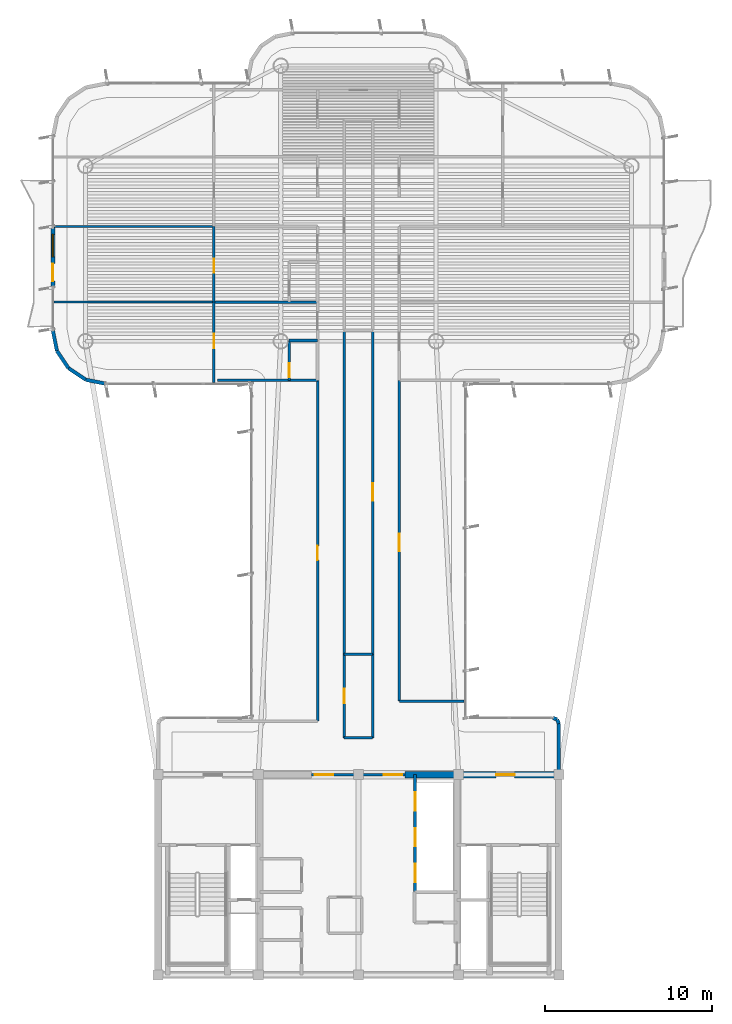
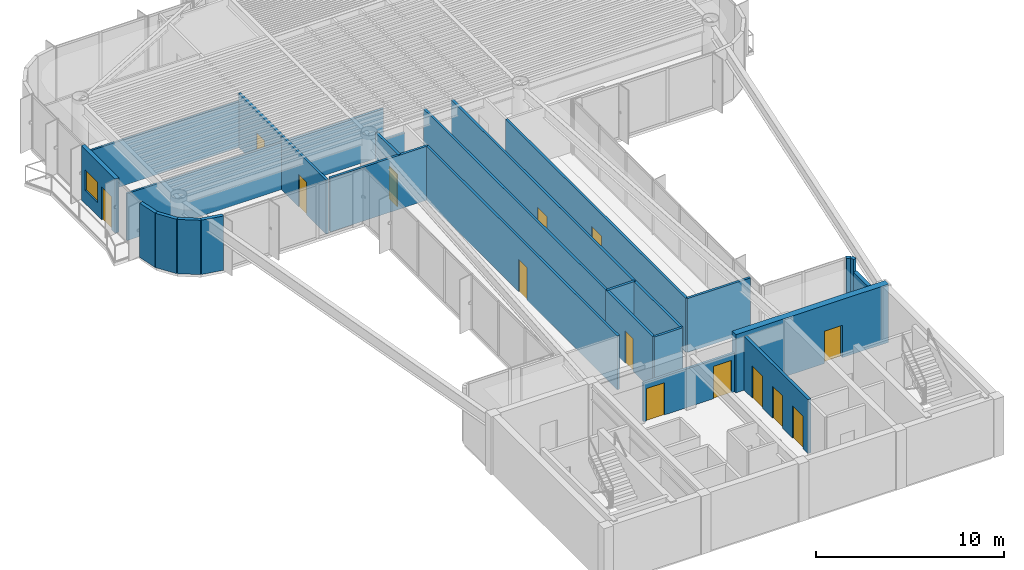
# One storey, part 11 of 15: 28 walls, 14 doors, 1 window, 15 openings.
"""IFC4 building model written with IfcOpenShell, lengths in metres."""

from ifc_helpers import new_model, si_unit, direction, frame, frame_2d, origin, origin_2d, place, context, subcontext, project, spatial, rectangle, extrude, source, transform, mapped, material, layer, layer_set, type_object, element, fill, save


model = new_model("IFC4")

# Units and contexts
model_context = context("Model", 3, precision=1e-05, world=origin(), true_north=direction((0.0, 1.0)))
body_context = subcontext(model_context, "Body", "Model", "MODEL_VIEW")
ifc_project = project(units=[si_unit("LENGTHUNIT", "METRE"), si_unit("AREAUNIT", "SQUARE_METRE"), si_unit("VOLUMEUNIT", "CUBIC_METRE"), si_unit("PLANEANGLEUNIT", "RADIAN"), si_unit("MASSUNIT", "GRAM", prefix="KILO")], contexts=[model_context])

# Site, building, storey
site_placement = place(None, origin())
site = spatial("IfcSite", under=ifc_project, at=site_placement, CompositionType="ELEMENT")
building_placement = place(site_placement, origin())
building = spatial("IfcBuilding", under=site, at=building_placement, Name="Brelvock Crest Care Tower", CompositionType="ELEMENT")
storey_placement = place(building_placement, frame((0.0, 0.0, 264.60009765625)))
storey = spatial("IfcBuildingStorey", under=building, at=storey_placement, Name="L67", CompositionType="ELEMENT", Elevation=264.60009765625)

# Wall, opening, door
ifc_material_1 = material(Name="Concrete S65 (65 MPa)", Category="concrete")
ifc_layer_1 = layer(ifc_material_1, 0.39990234375, Name="WL-CS4")
ifc_layer_set_1 = layer_set([ifc_layer_1], Name="Concrete S65 (65 MPa)")
wall_type_1 = type_object("IfcWallType", Name="WL-CS4", PredefinedType="SHEAR", material=ifc_layer_set_1)
wall_1_placement = place(storey_placement, frame((38.800048828125, 18.0, 0.0), z_axis=(0.0, 0.0, 1.0), x_axis=(1.0, 0.0, 0.0)))
wall_1 = element("IfcWall", 1, at=wall_1_placement, inside=storey, type_object=wall_type_1, Name="L67 Core North-East Shear Wall", PredefinedType="SHEAR", context=body_context, shape_type="SweptSolid", body=[
    extrude(rectangle(XDim=9.39990234375, YDim=0.39990234375, at=frame_2d((4.699951171875, 0.0))), origin(), (0.0, 0.0, 1.0), 3.77978515625),
])
opening_1_placement = place(wall_1_placement, frame((5.449951171875, 0.0, 0.0)))
opening_1 = element("IfcOpeningElement", 2, at=opening_1_placement, cuts=wall_1, Name="Opening FD-1", PredefinedType="OPENING", context=body_context, shape_type="SweptSolid", body=[
    extrude(rectangle(XDim=1.10009765625, YDim=2.10009765625, at=origin_2d()), frame((0.550048828125, 0.2099609375, 1.050048828125), z_axis=(0.0, -1.0, 0.0), x_axis=(1.0, 0.0, 0.0)), (0.0, 0.0, 1.0), 0.419921875),
])
ifc_material_2 = material(Name="Steel Grade 350", Category="steel")
door_type_1 = type_object("IfcDoorType", Name="DR-FFL1", OperationType="NOTDEFINED", PredefinedType="DOOR", material=ifc_material_2)
shared_shape_1 = source(origin(), body_context, "Body", "SweptSolid", [
    extrude(rectangle(XDim=1.10009765625, YDim=2.10009765625, at=origin_2d()), frame((0.550048828125, 0.02490234375, 1.050048828125), z_axis=(0.0, -1.0, 0.0), x_axis=(1.0, 0.0, 0.0)), (0.0, 0.0, 1.0), 0.050048828125),
])
door_1_placement = place(opening_1_placement, origin())
door_1 = element("IfcDoor", 3, at=door_1_placement, inside=storey, type_object=door_type_1, Name="L67 Firefighting Lobby FFL-2 Exit Door", OperationType="SINGLE_SWING_RIGHT", OverallHeight=2.10009765625, OverallWidth=1.10009765625, PredefinedType="DOOR", context=body_context, shape_type="MappedRepresentation", body=[
    mapped(shared_shape_1, transform((0.0, 0.0, 0.0), x_axis=(1.0, 0.0, 0.0), y_axis=(0.0, 1.0, 0.0), z_axis=(0.0, 0.0, 1.0), scale=1.0)),
])
fill(opening_1, door_1)

# Wall, openings, door, window
ifc_material_3 = material(Name="Precast concrete N40 (40 MPa)", Category="concrete")
ifc_layer_2 = layer(ifc_material_3, 0.239990234375, Name="WL-EX1")
ifc_layer_set_2 = layer_set([ifc_layer_2], Name="Precast concrete N40 (40 MPa)")
wall_type_2 = type_object("IfcWallType", Name="WL-EX1", PredefinedType="SOLIDWALL", material=ifc_layer_set_2)
wall_2_placement = place(storey_placement, frame((17.699951171875, 47.14990234375, 0.0), z_axis=(0.0, 0.0, 1.0), x_axis=(0.0, 1.0, 0.0)))
wall_2 = element("IfcWall", 4, at=wall_2_placement, inside=storey, type_object=wall_type_2, Name="L67 Exterior Spandrel Wall WL-BAL-L67-W", PredefinedType="SOLIDWALL", context=body_context, shape_type="SweptSolid", body=[
    extrude(rectangle(XDim=3.60009765625, YDim=0.239990234375, at=frame_2d((1.800048828125, 0.0))), origin(), (0.0, 0.0, 1.0), 3.52978515625),
])
opening_2_placement = place(wall_2_placement, frame((0.39990234375, 0.0, 0.0)))
opening_2 = element("IfcOpeningElement", 5, at=opening_2_placement, cuts=wall_2, Name="Opening BD-1", PredefinedType="OPENING", context=body_context, shape_type="SweptSolid", body=[
    extrude(rectangle(XDim=1.050048828125, YDim=2.14990234375, at=origin_2d()), frame((0.52490234375, 0.1298828125, 1.074951171875), z_axis=(0.0, -1.0, 0.0), x_axis=(1.0, 0.0, 0.0)), (0.0, 0.0, 1.0), 0.260009765625),
])
opening_3_placement = place(wall_2_placement, frame((1.85009765625, 0.0, 0.85009765625)))
opening_3 = element("IfcOpeningElement", 6, at=opening_3_placement, cuts=wall_2, Name="Opening W-01", PredefinedType="OPENING", context=body_context, shape_type="SweptSolid", body=[
    extrude(rectangle(XDim=1.35009765625, YDim=1.35009765625, at=origin_2d()), frame((0.675048828125, 0.1298828125, 0.675048828125), z_axis=(0.0, -1.0, 0.0), x_axis=(1.0, 0.0, 0.0)), (0.0, 0.0, 1.0), 0.260009765625),
])
ifc_material_4 = material(Name="Dark Glass Double Glazed Low-E", Category="glass")
door_type_2 = type_object("IfcDoorType", Name="DR-BAL1", OperationType="NOTDEFINED", PredefinedType="DOOR", material=ifc_material_4)
shared_shape_2 = source(origin(), body_context, "Body", "SweptSolid", [
    extrude(rectangle(XDim=1.050048828125, YDim=2.14990234375, at=origin_2d()), frame((0.52490234375, 0.02490234375, 1.074951171875), z_axis=(0.0, -1.0, 0.0), x_axis=(1.0, 0.0, 0.0)), (0.0, 0.0, 1.0), 0.050048828125),
])
door_2_placement = place(opening_2_placement, origin())
door_2 = element("IfcDoor", 7, at=door_2_placement, inside=storey, type_object=door_type_2, Name="L67 W Wave Balcony Glazed Door", OperationType="SINGLE_SWING_LEFT", OverallHeight=2.14990234375, OverallWidth=1.050048828125, PredefinedType="DOOR", context=body_context, shape_type="MappedRepresentation", body=[
    mapped(shared_shape_2, transform((0.0, 0.0, 0.0), x_axis=(1.0, 0.0, 0.0), y_axis=(0.0, 1.0, 0.0), z_axis=(0.0, 0.0, 1.0), scale=1.0)),
])
fill(opening_2, door_2)
window_type = type_object("IfcWindowType", Name="WN-EX1", PartitioningType="SINGLE_PANEL", PredefinedType="WINDOW", material=ifc_material_4)
shared_shape_3 = source(origin(), body_context, "Body", "SweptSolid", [
    extrude(rectangle(XDim=1.35009765625, YDim=1.35009765625, at=origin_2d()), frame((0.675048828125, 0.030029296875, 0.675048828125), z_axis=(0.0, -1.0, 0.0), x_axis=(1.0, 0.0, 0.0)), (0.0, 0.0, 1.0), 0.06005859375),
])
window_placement = place(opening_3_placement, origin())
window = element("IfcWindow", 8, at=window_placement, inside=storey, type_object=window_type, Name="L67 W Suite Casement Window", OverallHeight=1.35009765625, OverallWidth=1.35009765625, PartitioningType="SINGLE_PANEL", PredefinedType="WINDOW", context=body_context, shape_type="MappedRepresentation", body=[
    mapped(shared_shape_3, transform((0.0, 0.0, 0.0), x_axis=(1.0, 0.0, 0.0), y_axis=(0.0, 1.0, 0.0), z_axis=(0.0, 0.0, 1.0), scale=1.0)),
])
fill(opening_3, window)

# Walls
ifc_layer_3 = layer(ifc_material_3, 0.215087890625, Name="WL-EX2")
ifc_layer_set_3 = layer_set([ifc_layer_3], Name="Precast concrete N40 (40 MPa)")
wall_type_3 = type_object("IfcWallType", Name="WL-EX2", PredefinedType="SOLIDWALL", material=ifc_layer_set_3)
wall_3_placement = place(storey_placement, frame((47.8974609375, 21.297607421875, 0.0), z_axis=(0.0, 0.0, 1.0), x_axis=(0.382673670509, -0.923883575944, 0.0)))
element("IfcWall", 9, at=wall_3_placement, inside=storey, type_object=wall_type_3, Name="L67 Rounded Corner Wall 00", PredefinedType="SOLIDWALL", context=body_context, shape_type="SweptSolid", body=[
    extrude(rectangle(XDim=0.26806640625, YDim=0.215087890625, at=frame_2d((0.134033203125, 0.0))), origin(), (0.0, 0.0, 1.0), 3.52978515625),
])
wall_4_placement = place(storey_placement, frame((48.0, 21.050048828125, 0.0), z_axis=(0.0, 0.0, 1.0), x_axis=(0.0, -1.0, 0.0)))
element("IfcWall", 10, at=wall_4_placement, inside=storey, type_object=wall_type_3, Name="L67 Rounded Corner Wall 01", PredefinedType="SOLIDWALL", context=body_context, shape_type="SweptSolid", body=[
    extrude(rectangle(XDim=2.77001953125, YDim=0.215087890625, at=frame_2d((1.385009765625, 0.0))), origin(), (0.0, 0.0, 1.0), 2.718017578125),
])
for number, where, z_axis, x_axis, name in (
    (11, (20.89990234375, 41.39990234375, 0.0), (0.0, 0.0, 1.0), (-0.980775717779, 0.195138390419, 0.0), "L67 Rounded Corner Wall 13"),
    (12, (19.67529296875, 41.6435546875, 0.0), (0.0, 0.0, 1.0), (-0.831387912822, 0.555692485475, 0.0), "L67 Rounded Corner Wall 14"),
    (13, (18.63720703125, 42.33740234375, 0.0), (0.0, 0.0, 1.0), (-0.555557312883, 0.831478245117, 0.0), "L67 Rounded Corner Wall 15"),
    (14, (17.943603515625, 43.37548828125, 0.0), (0.0, 0.0, 1.0), (-0.195138390419, 0.980775717779, 0.0), "L67 Rounded Corner Wall 16"),
):
    element("IfcWall", number, at=place(storey_placement, frame(where, z_axis=z_axis, x_axis=x_axis)), inside=storey, type_object=wall_type_3, Name=name, PredefinedType="SOLIDWALL", context=body_context, shape_type="SweptSolid", body=[
        extrude(rectangle(XDim=1.24853515625, YDim=0.215087890625, at=frame_2d((0.624267578125, 0.0))), origin(), (0.0, 0.0, 1.0), 3.52978515625),
    ])
wall_5_placement = place(storey_placement, frame((47.64990234375, 21.39990234375, 0.0), z_axis=(0.0, 0.0, 1.0), x_axis=(0.924205486139, -0.381895560841, 0.0)))
element("IfcWall", 15, at=wall_5_placement, inside=storey, type_object=wall_type_3, Name="L67 Rounded Corner Wall 47", PredefinedType="SOLIDWALL", context=body_context, shape_type="SweptSolid", body=[
    extrude(rectangle(XDim=0.267822265625, YDim=0.215087890625, at=frame_2d((0.1337890625, 0.0))), origin(), (0.0, 0.0, 1.0), 3.52978515625),
])

# Wall, openings, doors
ifc_material_5 = material(Name="Masonry Blockwork Acoustic Partition", Category="masonry")
ifc_layer_4 = layer(ifc_material_5, 0.14990234375, Name="WL-INT1")
ifc_layer_set_4 = layer_set([ifc_layer_4], Name="Masonry Blockwork Acoustic Partition")
wall_type_4 = type_object("IfcWallType", Name="WL-INT1", PredefinedType="PARTITIONING", material=ifc_layer_set_4)
wall_6_placement = place(storey_placement, frame((33.199951171875, 18.0, 0.0), z_axis=(0.0, 0.0, 1.0), x_axis=(1.0, 0.0, 0.0)))
wall_6 = element("IfcWall", 16, at=wall_6_placement, inside=storey, type_object=wall_type_4, Name="L67 Interior Wall WL-CORE-NPORT-L67", PredefinedType="PARTITIONING", context=body_context, shape_type="SweptSolid", body=[
    extrude(rectangle(XDim=5.60009765625, YDim=0.14990234375, at=frame_2d((2.800048828125, 0.0))), origin(), (0.0, 0.0, 1.0), 2.514892578125),
])
opening_4_placement = place(wall_6_placement, frame((0.18994140625, 0.0, 0.0)))
opening_4 = element("IfcOpeningElement", 17, at=opening_4_placement, cuts=wall_6, Name="Opening FD-1", PredefinedType="OPENING", context=body_context, shape_type="SweptSolid", body=[
    extrude(rectangle(XDim=1.10009765625, YDim=2.10009765625, at=origin_2d()), frame((0.550048828125, 0.0849609375, 1.050048828125), z_axis=(0.0, -1.0, 0.0), x_axis=(1.0, 0.0, 0.0)), (0.0, 0.0, 1.0), 0.169921875),
])
opening_5_placement = place(wall_6_placement, frame((4.31005859375, 0.0, 0.0)))
opening_5 = element("IfcOpeningElement", 18, at=opening_5_placement, cuts=wall_6, Name="Opening FD-1", PredefinedType="OPENING", context=body_context, shape_type="SweptSolid", body=[
    extrude(rectangle(XDim=1.10009765625, YDim=2.10009765625, at=origin_2d()), frame((0.550048828125, 0.0849609375, 1.050048828125), z_axis=(0.0, -1.0, 0.0), x_axis=(1.0, 0.0, 0.0)), (0.0, 0.0, 1.0), 0.169921875),
])
door_3_placement = place(opening_4_placement, origin())
door_3 = element("IfcDoor", 19, at=door_3_placement, inside=storey, type_object=door_type_1, Name="L67 Lift Lobby North Smoke Door West", OperationType="SINGLE_SWING_LEFT", OverallHeight=2.10009765625, OverallWidth=1.10009765625, PredefinedType="DOOR", context=body_context, shape_type="MappedRepresentation", body=[
    mapped(shared_shape_1, transform((0.0, 0.0, 0.0), x_axis=(1.0, 0.0, 0.0), y_axis=(0.0, 1.0, 0.0), z_axis=(0.0, 0.0, 1.0), scale=1.0)),
])
fill(opening_4, door_3)
door_4_placement = place(opening_5_placement, origin())
door_4 = element("IfcDoor", 20, at=door_4_placement, inside=storey, type_object=door_type_1, Name="L67 Lift Lobby North Smoke Door East", OperationType="SINGLE_SWING_RIGHT", OverallHeight=2.10009765625, OverallWidth=1.10009765625, PredefinedType="DOOR", context=body_context, shape_type="MappedRepresentation", body=[
    mapped(shared_shape_1, transform((0.0, 0.0, 0.0), x_axis=(1.0, 0.0, 0.0), y_axis=(0.0, 1.0, 0.0), z_axis=(0.0, 0.0, 1.0), scale=1.0)),
])
fill(opening_5, door_4)

# Walls
wall_7_placement = place(storey_placement, frame((38.449951171875, 22.39990234375, 0.0), z_axis=(0.0, 0.0, 1.0), x_axis=(1.0, 0.0, 0.0)))
element("IfcWall", 21, at=wall_7_placement, inside=storey, type_object=wall_type_4, Name="L67 Interior Wall WL-BX-L67-THRE-S", PredefinedType="PARTITIONING", context=body_context, shape_type="SweptSolid", body=[
    extrude(rectangle(XDim=3.873291015625, YDim=0.14990234375, at=frame_2d((1.9365234375, 0.0))), origin(), (0.0, 0.0, 1.0), 3.5),
])
wall_8_placement = place(storey_placement, frame((27.557861328125, 41.60009765625, 0.0), z_axis=(0.0, 0.0, 1.0), x_axis=(1.0, 0.0, 0.0)))
element("IfcWall", 22, at=wall_8_placement, inside=storey, type_object=wall_type_4, Name="L67 Interior Wall WL-BX-L67-CS-WS1-S", PredefinedType="PARTITIONING", context=body_context, shape_type="SweptSolid", body=[
    extrude(rectangle(XDim=5.9921875, YDim=0.14990234375, at=frame_2d((2.99609375, 0.0))), origin(), (0.0, 0.0, 1.0), 3.5),
])
wall_9_placement = place(storey_placement, frame((27.35009765625, 46.298095703125, 0.0), z_axis=(0.0, 0.0, 1.0), x_axis=(1.0, 0.0, 0.0)))
element("IfcWall", 23, at=wall_9_placement, inside=storey, type_object=wall_type_4, Name="L67 Interior Wall WL-BX-L67-CS-WS1-N", PredefinedType="PARTITIONING", context=body_context, shape_type="SweptSolid", body=[
    extrude(rectangle(XDim=6.199951171875, YDim=0.14990234375, at=frame_2d((3.10009765625, 0.0))), origin(), (0.0, 0.0, 1.0), 3.054931640625),
])

# Wall, opening, door
wall_10_placement = place(storey_placement, frame((27.35009765625, 41.47998046875, 0.0), z_axis=(0.0, 0.0, 1.0), x_axis=(0.0, 1.0, 0.0)))
wall_10 = element("IfcWall", 24, at=wall_10_placement, inside=storey, type_object=wall_type_4, Name="L67 Interior Wall WL-RM-L67-WS1S", PredefinedType="PARTITIONING", context=body_context, shape_type="SweptSolid", body=[
    extrude(rectangle(XDim=4.818115234375, YDim=0.14990234375, at=frame_2d((2.4091796875, 0.0))), origin(), (0.0, 0.0, 1.0), 3.5),
])
opening_6_placement = place(wall_10_placement, frame((2.06005859375, 0.0, 0.0)))
opening_6 = element("IfcOpeningElement", 25, at=opening_6_placement, cuts=wall_10, Name="Opening ID-1", PredefinedType="OPENING", context=body_context, shape_type="SweptSolid", body=[
    extrude(rectangle(XDim=0.860107421875, YDim=2.10009765625, at=origin_2d()), frame((0.43017578125, 0.0849609375, 1.050048828125), z_axis=(0.0, -1.0, 0.0), x_axis=(1.0, 0.0, 0.0)), (0.0, 0.0, 1.0), 0.169921875),
])
ifc_material_6 = material(Name="Engineered Hardwood Timber", Category="wood")
door_type_3 = type_object("IfcDoorType", Name="DR-INT1", OperationType="NOTDEFINED", PredefinedType="DOOR", material=ifc_material_6)
shared_shape_4 = source(origin(), body_context, "Body", "SweptSolid", [
    extrude(rectangle(XDim=0.860107421875, YDim=2.10009765625, at=origin_2d()), frame((0.43017578125, 0.02490234375, 1.050048828125), z_axis=(0.0, -1.0, 0.0), x_axis=(1.0, 0.0, 0.0)), (0.0, 0.0, 1.0), 0.050048828125),
])
door_5_placement = place(opening_6_placement, origin())
door_5 = element("IfcDoor", 26, at=door_5_placement, inside=storey, type_object=door_type_3, Name="L67 Skilled Nursing Mobility Store Door WS1S", OperationType="SINGLE_SWING_LEFT", OverallHeight=2.10009765625, OverallWidth=0.860107421875, PredefinedType="DOOR", context=body_context, shape_type="MappedRepresentation", body=[
    mapped(shared_shape_4, transform((0.0, 0.0, 0.0), x_axis=(1.0, 0.0, 0.0), y_axis=(0.0, 1.0, 0.0), z_axis=(0.0, 0.0, 1.0), scale=1.0)),
])
fill(opening_6, door_5)

wall_11_placement = place(storey_placement, frame((27.35009765625, 46.298095703125, 0.0), z_axis=(0.0, 0.0, 1.0), x_axis=(0.0, 1.0, 0.0)))
wall_11 = element("IfcWall", 27, at=wall_11_placement, inside=storey, type_object=wall_type_4, Name="L67 Interior Wall WL-RM-L67-WS2S", PredefinedType="PARTITIONING", context=body_context, shape_type="SweptSolid", body=[
    extrude(rectangle(XDim=4.52392578125, YDim=0.14990234375, at=frame_2d((2.261962890625, 0.0))), origin(), (0.0, 0.0, 1.0), 3.5),
])
opening_7_placement = place(wall_11_placement, frame((1.741943359375, 0.0, 0.0)))
opening_7 = element("IfcOpeningElement", 28, at=opening_7_placement, cuts=wall_11, Name="Opening ID-1", PredefinedType="OPENING", context=body_context, shape_type="SweptSolid", body=[
    extrude(rectangle(XDim=0.860107421875, YDim=2.10009765625, at=origin_2d()), frame((0.43017578125, 0.0849609375, 1.050048828125), z_axis=(0.0, -1.0, 0.0), x_axis=(1.0, 0.0, 0.0)), (0.0, 0.0, 1.0), 0.169921875),
])
door_6_placement = place(opening_7_placement, origin())
door_6 = element("IfcDoor", 29, at=door_6_placement, inside=storey, type_object=door_type_3, Name="L67 Skilled Nursing Mobility Store Door WS2S", OperationType="SINGLE_SWING_LEFT", OverallHeight=2.10009765625, OverallWidth=0.860107421875, PredefinedType="DOOR", context=body_context, shape_type="MappedRepresentation", body=[
    mapped(shared_shape_4, transform((0.0, 0.0, 0.0), x_axis=(1.0, 0.0, 0.0), y_axis=(0.0, 1.0, 0.0), z_axis=(0.0, 0.0, 1.0), scale=1.0)),
])
fill(opening_7, door_6)

wall_12_placement = place(storey_placement, frame((33.550048828125, 21.199951171875, 0.0), z_axis=(0.0, 0.0, 1.0), x_axis=(0.0, 1.0, 0.0)))
wall_12 = element("IfcWall", 30, at=wall_12_placement, inside=storey, type_object=wall_type_4, Name="L67 Interior Wall WL-RM-L67-THRW", PredefinedType="PARTITIONING", context=body_context, shape_type="SweptSolid", body=[
    extrude(rectangle(XDim=20.400146484375, YDim=0.14990234375, at=frame_2d((10.2001953125, 0.0))), origin(), (0.0, 0.0, 1.0), 3.5),
])
opening_8_placement = place(wall_12_placement, frame((9.639892578125, 0.0, 0.0)))
opening_8 = element("IfcOpeningElement", 31, at=opening_8_placement, cuts=wall_12, Name="Opening ID-1", PredefinedType="OPENING", context=body_context, shape_type="SweptSolid", body=[
    extrude(rectangle(XDim=0.860107421875, YDim=2.10009765625, at=origin_2d()), frame((0.43017578125, 0.0849609375, 1.050048828125), z_axis=(0.0, -1.0, 0.0), x_axis=(1.0, 0.0, 0.0)), (0.0, 0.0, 1.0), 0.169921875),
])
door_7_placement = place(opening_8_placement, origin())
door_7 = element("IfcDoor", 32, at=door_7_placement, inside=storey, type_object=door_type_3, Name="L67 Quiet Family Consultation Room Door THRW", OperationType="SINGLE_SWING_LEFT", OverallHeight=2.10009765625, OverallWidth=0.860107421875, PredefinedType="DOOR", context=body_context, shape_type="MappedRepresentation", body=[
    mapped(shared_shape_4, transform((0.0, 0.0, 0.0), x_axis=(1.0, 0.0, 0.0), y_axis=(0.0, 1.0, 0.0), z_axis=(0.0, 0.0, 1.0), scale=1.0)),
])
fill(opening_8, door_7)

# Wall
wall_13_placement = place(storey_placement, frame((35.14990234375, 25.199951171875, 0.0), z_axis=(0.0, 0.0, 1.0), x_axis=(0.0, 1.0, 0.0)))
element("IfcWall", 33, at=wall_13_placement, inside=storey, type_object=wall_type_4, Name="L67 Interior Wall WL-BX-L67-ISNS-W", PredefinedType="PARTITIONING", context=body_context, shape_type="SweptSolid", body=[
    extrude(rectangle(XDim=19.420166015625, YDim=0.14990234375, at=frame_2d((9.7099609375, 0.0))), origin(), (0.0, 0.0, 1.0), 3.5),
])

# Wall, opening, door
wall_14_placement = place(storey_placement, frame((36.85009765625, 25.199951171875, 0.0), z_axis=(0.0, 0.0, 1.0), x_axis=(0.0, 1.0, 0.0)))
wall_14 = element("IfcWall", 34, at=wall_14_placement, inside=storey, type_object=wall_type_4, Name="L67 Interior Wall WL-RM-L67-ISNS", PredefinedType="PARTITIONING", context=body_context, shape_type="SweptSolid", body=[
    extrude(rectangle(XDim=19.420166015625, YDim=0.14990234375, at=frame_2d((9.7099609375, 0.0))), origin(), (0.0, 0.0, 1.0), 3.5),
])
opening_9_placement = place(wall_14_placement, frame((9.18505859375, 0.0, 0.0)))
opening_9 = element("IfcOpeningElement", 35, at=opening_9_placement, cuts=wall_14, Name="Opening CLD-1", PredefinedType="OPENING", context=body_context, shape_type="SweptSolid", body=[
    extrude(rectangle(XDim=1.050048828125, YDim=2.10009765625, at=origin_2d()), frame((0.52490234375, 0.0849609375, 1.050048828125), z_axis=(0.0, -1.0, 0.0), x_axis=(1.0, 0.0, 0.0)), (0.0, 0.0, 1.0), 0.169921875),
])
door_type_4 = type_object("IfcDoorType", Name="DR-CLN1", OperationType="NOTDEFINED", PredefinedType="DOOR", material=ifc_material_6)
shared_shape_5 = source(origin(), body_context, "Body", "SweptSolid", [
    extrude(rectangle(XDim=1.050048828125, YDim=2.10009765625, at=origin_2d()), frame((0.52490234375, 0.02490234375, 1.050048828125), z_axis=(0.0, -1.0, 0.0), x_axis=(1.0, 0.0, 0.0)), (0.0, 0.0, 1.0), 0.050048828125),
])
door_8_placement = place(opening_9_placement, origin())
door_8 = element("IfcDoor", 36, at=door_8_placement, inside=storey, type_object=door_type_4, Name="L67 Care Concierge and Triage Station Door ISNS", OperationType="SINGLE_SWING_LEFT", OverallHeight=2.10009765625, OverallWidth=1.050048828125, PredefinedType="DOOR", context=body_context, shape_type="MappedRepresentation", body=[
    mapped(shared_shape_5, transform((0.0, 0.0, 0.0), x_axis=(1.0, 0.0, 0.0), y_axis=(0.0, 1.0, 0.0), z_axis=(0.0, 0.0, 1.0), scale=1.0)),
])
fill(opening_9, door_8)

wall_15_placement = place(storey_placement, frame((38.449951171875, 22.39990234375, 0.0), z_axis=(0.0, 0.0, 1.0), x_axis=(0.0, 1.0, 0.0)))
wall_15 = element("IfcWall", 37, at=wall_15_placement, inside=storey, type_object=wall_type_4, Name="L67 Interior Wall WL-RM-L67-THRE", PredefinedType="PARTITIONING", context=body_context, shape_type="SweptSolid", body=[
    extrude(rectangle(XDim=19.2001953125, YDim=0.14990234375, at=frame_2d((9.60009765625, 0.0))), origin(), (0.0, 0.0, 1.0), 3.5),
])
opening_10_placement = place(wall_15_placement, frame((8.97509765625, 0.0, 0.0)))
opening_10 = element("IfcOpeningElement", 38, at=opening_10_placement, cuts=wall_15, Name="Opening CLD-1", PredefinedType="OPENING", context=body_context, shape_type="SweptSolid", body=[
    extrude(rectangle(XDim=1.050048828125, YDim=2.10009765625, at=origin_2d()), frame((0.52490234375, 0.0849609375, 1.050048828125), z_axis=(0.0, -1.0, 0.0), x_axis=(1.0, 0.0, 0.0)), (0.0, 0.0, 1.0), 0.169921875),
])
door_9_placement = place(opening_10_placement, origin())
door_9 = element("IfcDoor", 39, at=door_9_placement, inside=storey, type_object=door_type_4, Name="L67 Allied Health Therapy Room Door THRE", OperationType="SINGLE_SWING_LEFT", OverallHeight=2.10009765625, OverallWidth=1.050048828125, PredefinedType="DOOR", context=body_context, shape_type="MappedRepresentation", body=[
    mapped(shared_shape_5, transform((0.0, 0.0, 0.0), x_axis=(1.0, 0.0, 0.0), y_axis=(0.0, 1.0, 0.0), z_axis=(0.0, 0.0, 1.0), scale=1.0)),
])
fill(opening_10, door_9)

# Walls
ifc_material_7 = material(Name="Gypsum Plasterboard Partition", Category="gypsum")
ifc_layer_5 = layer(ifc_material_7, 0.1201171875, Name="WL-INT2")
ifc_layer_set_5 = layer_set([ifc_layer_5], Name="Gypsum Plasterboard Partition")
wall_type_5 = type_object("IfcWallType", Name="WL-INT2", PredefinedType="PARTITIONING", material=ifc_layer_set_5)
wall_16_placement = place(storey_placement, frame((17.780029296875, 46.298095703125, 0.0), z_axis=(0.0, 0.0, 1.0), x_axis=(1.0, 0.0, 0.0)))
element("IfcWall", 40, at=wall_16_placement, inside=storey, type_object=wall_type_5, Name="L67 Interior Wall WL-BX-L67-WS1S-N", PredefinedType="PARTITIONING", context=body_context, shape_type="SweptSolid", body=[
    extrude(rectangle(XDim=9.570068359375, YDim=0.1201171875, at=frame_2d((4.78515625, 0.0))), origin(), (0.0, 0.0, 1.0), 3.054931640625),
])
wall_17_placement = place(storey_placement, frame((17.780029296875, 50.822021484375, 0.0), z_axis=(0.0, 0.0, 1.0), x_axis=(1.0, 0.0, 0.0)))
element("IfcWall", 41, at=wall_17_placement, inside=storey, type_object=wall_type_5, Name="L67 Interior Wall WL-BX-L67-WS2S-N", PredefinedType="PARTITIONING", context=body_context, shape_type="SweptSolid", body=[
    extrude(rectangle(XDim=9.570068359375, YDim=0.1201171875, at=frame_2d((4.78515625, 0.0))), origin(), (0.0, 0.0, 1.0), 2.98193359375),
])
ifc_layer_6 = layer(ifc_material_7, 0.159912109375, Name="WL-PLM1")
ifc_layer_set_6 = layer_set([ifc_layer_6], Name="Gypsum Plasterboard Partition")
wall_type_6 = type_object("IfcWallType", Name="WL-PLM1", PredefinedType="PLUMBINGWALL", material=ifc_layer_set_6)
for number, where, z_axis, x_axis, name in (
    (42, (35.14990234375, 20.199951171875, 0.0), (0.0, 0.0, 1.0), (1.0, 0.0, 0.0), "L67 Interior Wall WL-BX-L67-ISWC-S"),
    (43, (35.14990234375, 25.199951171875, 0.0), (0.0, 0.0, 1.0), (1.0, 0.0, 0.0), "L67 Interior Wall WL-BX-L67-ISNS-S"),
):
    element("IfcWall", number, at=place(storey_placement, frame(where, z_axis=z_axis, x_axis=x_axis)), inside=storey, type_object=wall_type_6, Name=name, PredefinedType="PLUMBINGWALL", context=body_context, shape_type="SweptSolid", body=[
        extrude(rectangle(XDim=1.7001953125, YDim=0.159912109375, at=frame_2d((0.85009765625, 0.0))), origin(), (0.0, 0.0, 1.0), 3.5),
    ])
wall_18_placement = place(storey_placement, frame((31.85009765625, 44.0, 0.0), z_axis=(0.0, 0.0, 1.0), x_axis=(1.0, 0.0, 0.0)))
element("IfcWall", 44, at=wall_18_placement, inside=storey, type_object=wall_type_6, Name="L67 Interior Wall WL-CENS2-L67-WS1", PredefinedType="PLUMBINGWALL", context=body_context, shape_type="SweptSolid", body=[
    extrude(rectangle(XDim=1.699951171875, YDim=0.159912109375, at=frame_2d((0.85009765625, 0.0))), origin(), (0.0, 0.0, 1.0), 2.90283203125),
])

# Wall, opening, door
wall_19_placement = place(storey_placement, frame((31.85009765625, 41.60009765625, 0.0), z_axis=(0.0, 0.0, 1.0), x_axis=(0.0, 1.0, 0.0)))
wall_19 = element("IfcWall", 45, at=wall_19_placement, inside=storey, type_object=wall_type_6, Name="L67 Interior Wall WL-CENS1-L67-WS1", PredefinedType="PLUMBINGWALL", context=body_context, shape_type="SweptSolid", body=[
    extrude(rectangle(XDim=2.39990234375, YDim=0.159912109375, at=frame_2d((1.199951171875, 0.0))), origin(), (0.0, 0.0, 1.0), 3.5),
])
opening_11_placement = place(wall_19_placement, frame((0.179931640625, 0.0, 0.0)))
opening_11 = element("IfcOpeningElement", 46, at=opening_11_placement, cuts=wall_19, Name="Opening WD-1", PredefinedType="OPENING", context=body_context, shape_type="SweptSolid", body=[
    extrude(rectangle(XDim=0.860107421875, YDim=2.10009765625, at=origin_2d()), frame((0.43017578125, 0.08984375, 1.050048828125), z_axis=(0.0, -1.0, 0.0), x_axis=(1.0, 0.0, 0.0)), (0.0, 0.0, 1.0), 0.179931640625),
])
door_type_5 = type_object("IfcDoorType", Name="DR-WC1", OperationType="NOTDEFINED", PredefinedType="DOOR", material=ifc_material_6)
shared_shape_6 = source(origin(), body_context, "Body", "SweptSolid", [
    extrude(rectangle(XDim=0.860107421875, YDim=2.10009765625, at=origin_2d()), frame((0.43017578125, 0.02490234375, 1.050048828125), z_axis=(0.0, -1.0, 0.0), x_axis=(1.0, 0.0, 0.0)), (0.0, 0.0, 1.0), 0.050048828125),
])
door_10_placement = place(opening_11_placement, origin())
door_10 = element("IfcDoor", 47, at=door_10_placement, inside=storey, type_object=door_type_5, Name="L67 Care En-Suite Door WS1", OperationType="SINGLE_SWING_LEFT", OverallHeight=2.10009765625, OverallWidth=0.860107421875, PredefinedType="DOOR", context=body_context, shape_type="MappedRepresentation", body=[
    mapped(shared_shape_6, transform((0.0, 0.0, 0.0), x_axis=(1.0, 0.0, 0.0), y_axis=(0.0, 1.0, 0.0), z_axis=(0.0, 0.0, 1.0), scale=1.0)),
])
fill(opening_11, door_10)

wall_20_placement = place(storey_placement, frame((35.14990234375, 20.199951171875, 0.0), z_axis=(0.0, 0.0, 1.0), x_axis=(0.0, 1.0, 0.0)))
wall_20 = element("IfcWall", 48, at=wall_20_placement, inside=storey, type_object=wall_type_6, Name="L67 Interior Wall WL-RM-L67-ISWC", PredefinedType="PLUMBINGWALL", context=body_context, shape_type="SweptSolid", body=[
    extrude(rectangle(XDim=5.0, YDim=0.159912109375, at=frame_2d((2.5, 0.0))), origin(), (0.0, 0.0, 1.0), 3.5),
])
opening_12_placement = place(wall_20_placement, frame((2.070068359375, 0.0, 0.0)))
opening_12 = element("IfcOpeningElement", 49, at=opening_12_placement, cuts=wall_20, Name="Opening WD-1", PredefinedType="OPENING", context=body_context, shape_type="SweptSolid", body=[
    extrude(rectangle(XDim=0.860107421875, YDim=2.10009765625, at=origin_2d()), frame((0.43017578125, 0.08984375, 1.050048828125), z_axis=(0.0, -1.0, 0.0), x_axis=(1.0, 0.0, 0.0)), (0.0, 0.0, 1.0), 0.179931640625),
])
door_11_placement = place(opening_12_placement, origin())
door_11 = element("IfcDoor", 50, at=door_11_placement, inside=storey, type_object=door_type_5, Name="L67 High-Zone Accessible WC Door ISWC", OperationType="SINGLE_SWING_LEFT", OverallHeight=2.10009765625, OverallWidth=0.860107421875, PredefinedType="DOOR", context=body_context, shape_type="MappedRepresentation", body=[
    mapped(shared_shape_6, transform((0.0, 0.0, 0.0), x_axis=(1.0, 0.0, 0.0), y_axis=(0.0, 1.0, 0.0), z_axis=(0.0, 0.0, 1.0), scale=1.0)),
])
fill(opening_12, door_11)

# Wall
wall_21_placement = place(storey_placement, frame((36.85009765625, 20.199951171875, 0.0), z_axis=(0.0, 0.0, 1.0), x_axis=(0.0, 1.0, 0.0)))
element("IfcWall", 51, at=wall_21_placement, inside=storey, type_object=wall_type_6, Name="L67 Interior Wall WL-BX-L67-ISWC-E", PredefinedType="PLUMBINGWALL", context=body_context, shape_type="SweptSolid", body=[
    extrude(rectangle(XDim=5.0, YDim=0.159912109375, at=frame_2d((2.5, 0.0))), origin(), (0.0, 0.0, 1.0), 3.5),
])

# Wall, openings, doors
ifc_layer_7 = layer(ifc_material_5, 0.179931640625, Name="WL-SHF1")
ifc_layer_set_7 = layer_set([ifc_layer_7], Name="Masonry Blockwork Acoustic Partition")
wall_type_7 = type_object("IfcWallType", Name="WL-SHF1", PredefinedType="PARTITIONING", material=ifc_layer_set_7)
wall_22_placement = place(storey_placement, frame((39.39990234375, 11.0, 0.0), z_axis=(0.0, 0.0, 1.0), x_axis=(0.0, 1.0, 0.0)))
wall_22 = element("IfcWall", 52, at=wall_22_placement, inside=storey, type_object=wall_type_7, Name="L67 Interior Wall WL-PLH-BANK-L67", PredefinedType="PARTITIONING", context=body_context, shape_type="SweptSolid", body=[
    extrude(rectangle(XDim=7.0, YDim=0.179931640625, at=frame_2d((3.5, 0.0))), origin(), (0.0, 0.0, 1.0), 3.5),
])
opening_13_placement = place(wall_22_placement, frame((0.550048828125, 0.0, 0.0)))
opening_13 = element("IfcOpeningElement", 53, at=opening_13_placement, cuts=wall_22, Name="Opening LD", PredefinedType="OPENING", context=body_context, shape_type="SweptSolid", body=[
    extrude(rectangle(XDim=1.10009765625, YDim=2.10009765625, at=origin_2d()), frame((0.550048828125, 0.10009765625, 1.050048828125), z_axis=(0.0, -1.0, 0.0), x_axis=(1.0, 0.0, 0.0)), (0.0, 0.0, 1.0), 0.199951171875),
])
opening_14_placement = place(wall_22_placement, frame((2.699951171875, 0.0, 0.0)))
opening_14 = element("IfcOpeningElement", 54, at=opening_14_placement, cuts=wall_22, Name="Opening LD", PredefinedType="OPENING", context=body_context, shape_type="SweptSolid", body=[
    extrude(rectangle(XDim=1.10009765625, YDim=2.10009765625, at=origin_2d()), frame((0.550048828125, 0.10009765625, 1.050048828125), z_axis=(0.0, -1.0, 0.0), x_axis=(1.0, 0.0, 0.0)), (0.0, 0.0, 1.0), 0.199951171875),
])
opening_15_placement = place(wall_22_placement, frame((4.85009765625, 0.0, 0.0)))
opening_15 = element("IfcOpeningElement", 55, at=opening_15_placement, cuts=wall_22, Name="Opening LD", PredefinedType="OPENING", context=body_context, shape_type="SweptSolid", body=[
    extrude(rectangle(XDim=1.10009765625, YDim=2.10009765625, at=origin_2d()), frame((0.550048828125, 0.10009765625, 1.050048828125), z_axis=(0.0, -1.0, 0.0), x_axis=(1.0, 0.0, 0.0)), (0.0, 0.0, 1.0), 0.199951171875),
])
door_type_6 = type_object("IfcDoorType", Name="DR-LD1", OperationType="NOTDEFINED", PredefinedType="DOOR", material=ifc_material_2)
shared_shape_7 = source(origin(), body_context, "Body", "SweptSolid", [
    extrude(rectangle(XDim=1.10009765625, YDim=2.10009765625, at=origin_2d()), frame((0.550048828125, 0.02490234375, 1.050048828125), z_axis=(0.0, -1.0, 0.0), x_axis=(1.0, 0.0, 0.0)), (0.0, 0.0, 1.0), 0.050048828125),
])
door_12_placement = place(opening_13_placement, origin())
door_12 = element("IfcDoor", 56, at=door_12_placement, inside=storey, type_object=door_type_6, Name="L67 Lift PL-H1 Landing Door", OperationType="SLIDING_TO_RIGHT", OverallHeight=2.10009765625, OverallWidth=1.10009765625, PredefinedType="DOOR", context=body_context, shape_type="MappedRepresentation", body=[
    mapped(shared_shape_7, transform((0.0, 0.0, 0.0), x_axis=(1.0, 0.0, 0.0), y_axis=(0.0, 1.0, 0.0), z_axis=(0.0, 0.0, 1.0), scale=1.0)),
])
fill(opening_13, door_12)
door_13_placement = place(opening_14_placement, origin())
door_13 = element("IfcDoor", 57, at=door_13_placement, inside=storey, type_object=door_type_6, Name="L67 Lift PL-H2 Landing Door", OperationType="SLIDING_TO_RIGHT", OverallHeight=2.10009765625, OverallWidth=1.10009765625, PredefinedType="DOOR", context=body_context, shape_type="MappedRepresentation", body=[
    mapped(shared_shape_7, transform((0.0, 0.0, 0.0), x_axis=(1.0, 0.0, 0.0), y_axis=(0.0, 1.0, 0.0), z_axis=(0.0, 0.0, 1.0), scale=1.0)),
])
fill(opening_14, door_13)
door_14_placement = place(opening_15_placement, origin())
door_14 = element("IfcDoor", 58, at=door_14_placement, inside=storey, type_object=door_type_6, Name="L67 Lift PL-H3 Landing Door", OperationType="SLIDING_TO_RIGHT", OverallHeight=2.10009765625, OverallWidth=1.10009765625, PredefinedType="DOOR", context=body_context, shape_type="MappedRepresentation", body=[
    mapped(shared_shape_7, transform((0.0, 0.0, 0.0), x_axis=(1.0, 0.0, 0.0), y_axis=(0.0, 1.0, 0.0), z_axis=(0.0, 0.0, 1.0), scale=1.0)),
])
fill(opening_15, door_14)

save(model, "model.ifc")
